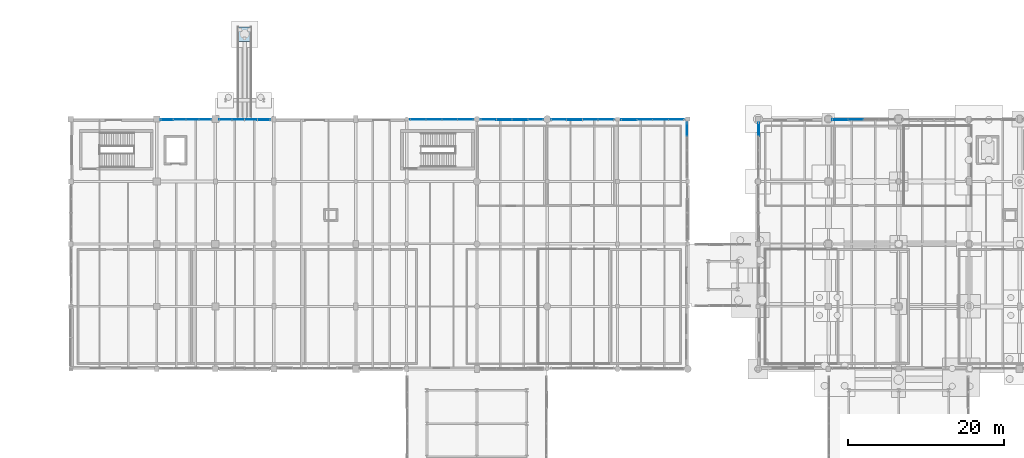
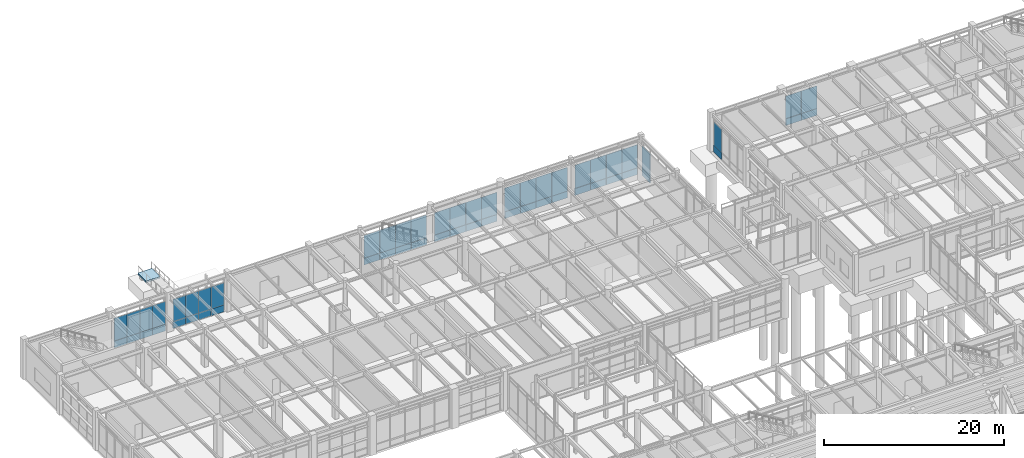
# One storey, part 162 of 203: 56 plates, 1 slab, 10 elements without a shape of their own.
"""IFC4 building model written with IfcOpenShell, lengths in metres."""

from ifc_helpers import new_model, si_unit, direction, frame, origin, origin_2d, place, context, subcontext, project, spatial, polyline, rectangle, outline, extrude, material, layer, layer_set, type_object, element, aggregate, save


model = new_model("IFC4")

# Units and contexts
model_context = context("Model", 3, precision=1e-05, world=origin(), true_north=direction((0.0, 1.0)))
body_context = subcontext(model_context, "Body", "Model", "MODEL_VIEW")
ifc_project = project(units=[si_unit("LENGTHUNIT", "METRE"), si_unit("AREAUNIT", "SQUARE_METRE"), si_unit("VOLUMEUNIT", "CUBIC_METRE"), si_unit("PLANEANGLEUNIT", "RADIAN"), si_unit("MASSUNIT", "GRAM", prefix="KILO"), si_unit("THERMODYNAMICTEMPERATUREUNIT", "KELVIN"), si_unit("POWERUNIT", "WATT")], contexts=[model_context])

# Site, building, storey
site_placement = place(None, origin())
site = spatial("IfcSite", under=ifc_project, at=site_placement, CompositionType="ELEMENT")
building_placement = place(site_placement, origin())
building = spatial("IfcBuilding", under=site, at=building_placement, Name="Tepalcoro Natatorium and Aquatics Centre", CompositionType="ELEMENT")
storey_placement = place(building_placement, origin())
storey = spatial("IfcBuildingStorey", under=building, at=storey_placement, Name="L00", CompositionType="ELEMENT", Elevation=0.0)

# Curtain wall, plate
ifc_material_1 = material(Name="Bronze-Anodised Extruded Aluminium Alloy EN AW-6063 T6", Category="aluminium")
curtain_wall_type_1 = type_object("IfcCurtainWallType", Name="CW_LEAN_T1_EW", PredefinedType="USERDEFINED", material=ifc_material_1)
curtain_wall_1_placement = place(storey_placement, origin())
curtain_wall_1 = element("IfcCurtainWall", 1, at=curtain_wall_1_placement, inside=storey, type_object=curtain_wall_type_1, Name="V4 L00 N Unitised Curtain Wall Bay 2", ObjectType="FACETED SOLAR GLAZING", PredefinedType="USERDEFINED")
ifc_material_2 = material(Name="Solar-Control Bronze Tempered Low-E Double Glazing", Category="glass")
ifc_layer_1 = layer(ifc_material_2, 0.048095703125)
ifc_layer_set_1 = layer_set([ifc_layer_1], Name="Solar-Control Bronze Tempered Low-E Double Glazing")
plate_type_1 = type_object("IfcPlateType", Name="PL_ACOUSTIC_IGU_48", PredefinedType="CURTAIN_PANEL", material=ifc_layer_set_1)
plate_1_placement = place(storey_placement, frame((23.9326171875, 117.9287109375, 0.9599609375), z_axis=(0.0, 0.0, 1.0), x_axis=(1.0, 0.0, 0.0)))
plate_1 = element("IfcPlate", 2, at=plate_1_placement, type_object=plate_type_1, Name="CW_LEAN_T1_EW Insulated Glazing Unit", PredefinedType="CURTAIN_PANEL", context=body_context, shape_type="SweptSolid", body=[
    extrude(rectangle(XDim=1.614990234375, YDim=0.048095703125, at=origin_2d()), origin(), (0.0, 0.0, 1.0), 3.073974609375),
])

# Curtain wall, plates
curtain_wall_type_2 = type_object("IfcCurtainWallType", Name="CW_LEAN_T2_NS", PredefinedType="USERDEFINED", material=ifc_material_1)
curtain_wall_2_placement = place(storey_placement, origin())
curtain_wall_2 = element("IfcCurtainWall", 3, at=curtain_wall_2_placement, inside=storey, type_object=curtain_wall_type_2, Name="V4 L00 N Unitised Curtain Wall Bay 3", ObjectType="FACETED SOLAR GLAZING", PredefinedType="USERDEFINED")
plate_2_placement = place(storey_placement, frame((29.797607421875, 117.919921875, 0.9599609375), z_axis=(0.0, 0.0, 1.0), x_axis=(1.0, 0.0, 0.0)))
plate_2 = element("IfcPlate", 4, at=plate_2_placement, type_object=plate_type_1, Name="CW_LEAN_T2_NS Insulated Glazing Unit", PredefinedType="CURTAIN_PANEL", context=body_context, shape_type="SweptSolid", body=[
    extrude(rectangle(XDim=1.614990234375, YDim=0.048095703125, at=origin_2d()), origin(), (0.0, 0.0, 1.0), 2.998046875),
])
plate_3_placement = place(storey_placement, frame((34.702392578125, 117.919921875, 0.9599609375), z_axis=(0.0, 0.0, 1.0), x_axis=(1.0, 0.0, 0.0)))
plate_3 = element("IfcPlate", 5, at=plate_3_placement, type_object=plate_type_1, Name="CW_LEAN_T2_NS Insulated Glazing Unit", PredefinedType="CURTAIN_PANEL", context=body_context, shape_type="SweptSolid", body=[
    extrude(rectangle(XDim=1.614990234375, YDim=0.048095703125, at=origin_2d()), origin(), (0.0, 0.0, 1.0), 2.998046875),
])

# Curtain wall, plate
curtain_wall_type_3 = type_object("IfcCurtainWallType", Name="CW_V2_DIVING", PredefinedType="USERDEFINED", material=ifc_material_1)
curtain_wall_3_placement = place(storey_placement, origin())
curtain_wall_3 = element("IfcCurtainWall", 6, at=curtain_wall_3_placement, inside=storey, type_object=curtain_wall_type_3, Name="V4 L00 N Unitised Curtain Wall Bay 6", ObjectType="FACETED SOLAR GLAZING", PredefinedType="USERDEFINED")
plate_4_placement = place(storey_placement, frame((58.5048828125, 117.93505859375, 0.9599609375), z_axis=(0.0, 0.0, 1.0), x_axis=(1.0, 0.0, 0.0)))
plate_4 = element("IfcPlate", 7, at=plate_4_placement, type_object=plate_type_1, Name="CW_V2_DIVING Insulated Glazing Unit", PredefinedType="CURTAIN_PANEL", context=body_context, shape_type="SweptSolid", body=[
    extrude(rectangle(XDim=1.989990234375, YDim=0.048095703125, at=origin_2d()), origin(), (0.0, 0.0, 1.0), 3.073974609375),
])

curtain_wall_type_4 = type_object("IfcCurtainWallType", Name="CW_V3_FOYER", PredefinedType="USERDEFINED", material=ifc_material_1)
curtain_wall_4_placement = place(storey_placement, origin())
curtain_wall_4 = element("IfcCurtainWall", 8, at=curtain_wall_4_placement, inside=storey, type_object=curtain_wall_type_4, Name="V4 L00 N Unitised Curtain Wall Bay 7", ObjectType="UNITISED STOREFRONT", PredefinedType="USERDEFINED")
plate_5_placement = place(storey_placement, frame((65.4951171875, 117.919921875, 0.9599609375), z_axis=(0.0, 0.0, 1.0), x_axis=(1.0, 0.0, 0.0)))
plate_5 = element("IfcPlate", 9, at=plate_5_placement, type_object=plate_type_1, Name="CW_V3_FOYER Insulated Glazing Unit", PredefinedType="CURTAIN_PANEL", context=body_context, shape_type="SweptSolid", body=[
    extrude(rectangle(XDim=1.989990234375, YDim=0.048095703125, at=origin_2d()), origin(), (0.0, 0.0, 1.0), 2.998046875),
])

# Curtain wall, plates
curtain_wall_type_5 = type_object("IfcCurtainWallType", Name="CW_V4_VILLAGE", PredefinedType="USERDEFINED", material=ifc_material_1)
curtain_wall_5_placement = place(storey_placement, origin())
curtain_wall_5 = element("IfcCurtainWall", 10, at=curtain_wall_5_placement, inside=storey, type_object=curtain_wall_type_5, Name="V4 L00 N Unitised Curtain Wall Bay 8", ObjectType="UNITISED STOREFRONT", PredefinedType="USERDEFINED")
plate_6_placement = place(storey_placement, frame((72.485107421875, 117.923828125, 0.9599609375), z_axis=(0.0, 0.0, 1.0), x_axis=(1.0, 0.0, 0.0)))
plate_6 = element("IfcPlate", 11, at=plate_6_placement, type_object=plate_type_1, Name="CW_V4_VILLAGE Insulated Glazing Unit", PredefinedType="CURTAIN_PANEL", context=body_context, shape_type="SweptSolid", body=[
    extrude(rectangle(XDim=1.989990234375, YDim=0.048095703125, at=origin_2d()), origin(), (0.0, 0.0, 1.0), 3.197021484375),
])
plate_7_placement = place(storey_placement, frame((78.514892578125, 117.923828125, 0.9599609375), z_axis=(0.0, 0.0, 1.0), x_axis=(1.0, 0.0, 0.0)))
plate_7 = element("IfcPlate", 12, at=plate_7_placement, type_object=plate_type_1, Name="CW_V4_VILLAGE Insulated Glazing Unit", PredefinedType="CURTAIN_PANEL", context=body_context, shape_type="SweptSolid", body=[
    extrude(rectangle(XDim=1.989990234375, YDim=0.048095703125, at=origin_2d()), origin(), (0.0, 0.0, 1.0), 3.197021484375),
])

# Curtain wall, plate
curtain_wall_type_6 = type_object("IfcCurtainWallType", Name="CW_V5_LOWER", PredefinedType="USERDEFINED", material=ifc_material_1)
curtain_wall_6_placement = place(storey_placement, origin())
curtain_wall_6 = element("IfcCurtainWall", 13, at=curtain_wall_6_placement, inside=storey, type_object=curtain_wall_type_6, Name="V4 L00 N Unitised Curtain Wall Bay 9", ObjectType="UNITISED STOREFRONT", PredefinedType="USERDEFINED")
plate_8_placement = place(storey_placement, frame((85.5048828125, 117.919921875, 0.9599609375), z_axis=(0.0, 0.0, 1.0), x_axis=(1.0, 0.0, 0.0)))
plate_8 = element("IfcPlate", 14, at=plate_8_placement, type_object=plate_type_1, Name="CW_V5_LOWER Insulated Glazing Unit", PredefinedType="CURTAIN_PANEL", context=body_context, shape_type="SweptSolid", body=[
    extrude(rectangle(XDim=1.989990234375, YDim=0.048095703125, at=origin_2d()), origin(), (0.0, 0.0, 1.0), 3.14990234375),
])

curtain_wall_type_7 = type_object("IfcCurtainWallType", Name="CW_V1_PLINTH", PredefinedType="USERDEFINED", material=ifc_material_1)
curtain_wall_7_placement = place(storey_placement, origin())
curtain_wall_7 = element("IfcCurtainWall", 15, at=curtain_wall_7_placement, inside=storey, type_object=curtain_wall_type_7, Name="V4 L00 E Unitised Curtain Wall Bay 4", ObjectType="UNITISED STOREFRONT", PredefinedType="USERDEFINED")
plate_9_placement = place(storey_placement, frame((88.909912109375, 116.639892578125, 0.9599609375), z_axis=(0.0, 0.0, 1.0), x_axis=(1.0, 0.0, 0.0)))
plate_9 = element("IfcPlate", 16, at=plate_9_placement, type_object=plate_type_1, Name="CW_V1_PLINTH Insulated Glazing Unit", PredefinedType="CURTAIN_PANEL", context=body_context, shape_type="SweptSolid", body=[
    extrude(rectangle(XDim=0.048095703125, YDim=1.739990234375, at=origin_2d()), origin(), (0.0, 0.0, 1.0), 3.073974609375),
])

curtain_wall_8_placement = place(storey_placement, origin())
curtain_wall_8 = element("IfcCurtainWall", 17, at=curtain_wall_8_placement, inside=storey, type_object=curtain_wall_type_1, Name="V5 L00 N Unitised Curtain Wall Bay 2", ObjectType="FACETED SOLAR GLAZING", PredefinedType="USERDEFINED")
plate_10_placement = place(storey_placement, frame((110.4951171875, 117.9287109375, 0.9599609375), z_axis=(0.0, 0.0, 1.0), x_axis=(1.0, 0.0, 0.0)))
plate_10 = element("IfcPlate", 18, at=plate_10_placement, type_object=plate_type_1, Name="CW_LEAN_T1_EW Insulated Glazing Unit", PredefinedType="CURTAIN_PANEL", context=body_context, shape_type="SweptSolid", body=[
    extrude(rectangle(XDim=1.989990234375, YDim=0.048095703125, at=origin_2d()), origin(), (0.0, 0.0, 1.0), 3.053955078125),
])

# Plate
ifc_layer_2 = layer(ifc_material_2, 0.028076171875)
ifc_layer_set_2 = layer_set([ifc_layer_2], Name="Solar-Control Bronze Tempered Low-E Double Glazing")
plate_type_2 = type_object("IfcPlateType", Name="PL_BRONZE_IGU_28", PredefinedType="CURTAIN_PANEL", material=ifc_layer_set_2)
plate_11_placement = place(storey_placement, frame((22.297607421875, 117.9287109375, 0.9599609375), z_axis=(0.0, 0.0, 1.0), x_axis=(1.0, 0.0, 0.0)))
plate_11 = element("IfcPlate", 19, at=plate_11_placement, type_object=plate_type_2, Name="CW_LEAN_T1_EW Insulated Glazing Unit", PredefinedType="CURTAIN_PANEL", context=body_context, shape_type="SweptSolid", body=[
    extrude(rectangle(XDim=1.614990234375, YDim=0.028076171875, at=origin_2d()), origin(), (0.0, 0.0, 1.0), 3.073974609375),
])

plate_12_placement = place(storey_placement, frame((27.202392578125, 117.9287109375, 0.9599609375), z_axis=(0.0, 0.0, 1.0), x_axis=(1.0, 0.0, 0.0)))
plate_12 = element("IfcPlate", 20, at=plate_12_placement, type_object=plate_type_2, Name="CW_LEAN_T1_EW Insulated Glazing Unit", PredefinedType="CURTAIN_PANEL", context=body_context, shape_type="SweptSolid", body=[
    extrude(rectangle(XDim=1.614990234375, YDim=0.028076171875, at=origin_2d()), origin(), (0.0, 0.0, 1.0), 3.073974609375),
])

plate_13_placement = place(storey_placement, frame((33.0673828125, 117.919921875, 0.9599609375), z_axis=(0.0, 0.0, 1.0), x_axis=(1.0, 0.0, 0.0)))
plate_13 = element("IfcPlate", 21, at=plate_13_placement, type_object=plate_type_2, Name="CW_LEAN_T2_NS Insulated Glazing Unit", PredefinedType="CURTAIN_PANEL", context=body_context, shape_type="SweptSolid", body=[
    extrude(rectangle(XDim=1.614990234375, YDim=0.028076171875, at=origin_2d()), origin(), (0.0, 0.0, 1.0), 2.998046875),
])

plate_14_placement = place(storey_placement, frame((56.4951171875, 117.93505859375, 0.9599609375), z_axis=(0.0, 0.0, 1.0), x_axis=(1.0, 0.0, 0.0)))
plate_14 = element("IfcPlate", 22, at=plate_14_placement, type_object=plate_type_2, Name="CW_V2_DIVING Insulated Glazing Unit", PredefinedType="CURTAIN_PANEL", context=body_context, shape_type="SweptSolid", body=[
    extrude(rectangle(XDim=1.989990234375, YDim=0.028076171875, at=origin_2d()), origin(), (0.0, 0.0, 1.0), 3.073974609375),
])

plate_15_placement = place(storey_placement, frame((63.485107421875, 117.919921875, 0.9599609375), z_axis=(0.0, 0.0, 1.0), x_axis=(1.0, 0.0, 0.0)))
plate_15 = element("IfcPlate", 23, at=plate_15_placement, type_object=plate_type_2, Name="CW_V3_FOYER Insulated Glazing Unit", PredefinedType="CURTAIN_PANEL", context=body_context, shape_type="SweptSolid", body=[
    extrude(rectangle(XDim=1.989990234375, YDim=0.028076171875, at=origin_2d()), origin(), (0.0, 0.0, 1.0), 2.998046875),
])

plate_16_placement = place(storey_placement, frame((69.514892578125, 117.919921875, 0.9599609375), z_axis=(0.0, 0.0, 1.0), x_axis=(1.0, 0.0, 0.0)))
plate_16 = element("IfcPlate", 24, at=plate_16_placement, type_object=plate_type_2, Name="CW_V3_FOYER Insulated Glazing Unit", PredefinedType="CURTAIN_PANEL", context=body_context, shape_type="SweptSolid", body=[
    extrude(rectangle(XDim=1.989990234375, YDim=0.028076171875, at=origin_2d()), origin(), (0.0, 0.0, 1.0), 2.998046875),
])

plate_17_placement = place(storey_placement, frame((76.5048828125, 117.923828125, 0.9599609375), z_axis=(0.0, 0.0, 1.0), x_axis=(1.0, 0.0, 0.0)))
plate_17 = element("IfcPlate", 25, at=plate_17_placement, type_object=plate_type_2, Name="CW_V4_VILLAGE Insulated Glazing Unit", PredefinedType="CURTAIN_PANEL", context=body_context, shape_type="SweptSolid", body=[
    extrude(rectangle(XDim=1.989990234375, YDim=0.028076171875, at=origin_2d()), origin(), (0.0, 0.0, 1.0), 3.197021484375),
])

plate_18_placement = place(storey_placement, frame((83.4951171875, 117.919921875, 0.9599609375), z_axis=(0.0, 0.0, 1.0), x_axis=(1.0, 0.0, 0.0)))
plate_18 = element("IfcPlate", 26, at=plate_18_placement, type_object=plate_type_2, Name="CW_V5_LOWER Insulated Glazing Unit", PredefinedType="CURTAIN_PANEL", context=body_context, shape_type="SweptSolid", body=[
    extrude(rectangle(XDim=1.989990234375, YDim=0.028076171875, at=origin_2d()), origin(), (0.0, 0.0, 1.0), 3.14990234375),
])

plate_19_placement = place(storey_placement, frame((108.485107421875, 117.9287109375, 0.9599609375), z_axis=(0.0, 0.0, 1.0), x_axis=(1.0, 0.0, 0.0)))
plate_19 = element("IfcPlate", 27, at=plate_19_placement, type_object=plate_type_2, Name="CW_LEAN_T1_EW Insulated Glazing Unit", PredefinedType="CURTAIN_PANEL", context=body_context, shape_type="SweptSolid", body=[
    extrude(rectangle(XDim=1.989990234375, YDim=0.028076171875, at=origin_2d()), origin(), (0.0, 0.0, 1.0), 3.053955078125),
])

# Curtain wall, plate
curtain_wall_9_placement = place(storey_placement, origin())
curtain_wall_9 = element("IfcCurtainWall", 28, at=curtain_wall_9_placement, inside=storey, type_object=curtain_wall_type_2, Name="V5 L00 W Unitised Curtain Wall Bay 4", ObjectType="FACETED SOLAR GLAZING", PredefinedType="USERDEFINED")
plate_20_placement = place(storey_placement, frame((98.076171875, 116.639892578125, 0.9599609375), z_axis=(0.0, 0.0, 1.0), x_axis=(1.0, 0.0, 0.0)))
plate_20 = element("IfcPlate", 29, at=plate_20_placement, type_object=plate_type_2, Name="CW_LEAN_T2_NS Insulated Glazing Unit", PredefinedType="CURTAIN_PANEL", context=body_context, shape_type="SweptSolid", body=[
    extrude(rectangle(XDim=0.028076171875, YDim=1.739990234375, at=origin_2d()), origin(), (0.0, 0.0, 1.0), 3.1298828125),
])

# Plate
ifc_material_3 = material(Name="Jalisco Cantera Rosa Volcanic Tuff Ashlar Masonry", Category="masonry")
ifc_layer_3 = layer(ifc_material_3, 0.090087890625)
ifc_layer_set_3 = layer_set([ifc_layer_3], Name="Jalisco Cantera Rosa Volcanic Tuff Ashlar Masonry")
plate_type_3 = type_object("IfcPlateType", Name="PL_CANTERA_90", PredefinedType="SHEET", material=ifc_layer_set_3)
plate_21_placement = place(storey_placement, frame((34.702392578125, 117.919921875, 0.044921875), z_axis=(0.0, 0.0, 1.0), x_axis=(1.0, 0.0, 0.0)))
plate_21 = element("IfcPlate", 30, at=plate_21_placement, type_object=plate_type_3, Name="CW_LEAN_T2_NS Spandrel & Screen Panel", PredefinedType="SHEET", context=body_context, shape_type="SweptSolid", body=[
    extrude(rectangle(XDim=1.614990234375, YDim=0.090087890625, at=origin_2d()), origin(), (0.0, 0.0, 1.0), 0.909912109375),
])

plate_22_placement = place(storey_placement, frame((58.5048828125, 117.93505859375, 0.044921875), z_axis=(0.0, 0.0, 1.0), x_axis=(1.0, 0.0, 0.0)))
plate_22 = element("IfcPlate", 31, at=plate_22_placement, type_object=plate_type_3, Name="CW_V2_DIVING Spandrel & Screen Panel", PredefinedType="SHEET", context=body_context, shape_type="SweptSolid", body=[
    extrude(rectangle(XDim=1.989990234375, YDim=0.090087890625, at=origin_2d()), origin(), (0.0, 0.0, 1.0), 0.909912109375),
])

plate_23_placement = place(storey_placement, frame((65.4951171875, 117.919921875, 0.044921875), z_axis=(0.0, 0.0, 1.0), x_axis=(1.0, 0.0, 0.0)))
plate_23 = element("IfcPlate", 32, at=plate_23_placement, type_object=plate_type_3, Name="CW_V3_FOYER Spandrel & Screen Panel", PredefinedType="SHEET", context=body_context, shape_type="SweptSolid", body=[
    extrude(rectangle(XDim=1.989990234375, YDim=0.090087890625, at=origin_2d()), origin(), (0.0, 0.0, 1.0), 0.909912109375),
])

plate_24_placement = place(storey_placement, frame((72.485107421875, 117.923828125, 0.044921875), z_axis=(0.0, 0.0, 1.0), x_axis=(1.0, 0.0, 0.0)))
plate_24 = element("IfcPlate", 33, at=plate_24_placement, type_object=plate_type_3, Name="CW_V4_VILLAGE Spandrel & Screen Panel", PredefinedType="SHEET", context=body_context, shape_type="SweptSolid", body=[
    extrude(rectangle(XDim=1.989990234375, YDim=0.090087890625, at=origin_2d()), origin(), (0.0, 0.0, 1.0), 0.909912109375),
])

plate_25_placement = place(storey_placement, frame((98.076171875, 116.639892578125, 0.044921875), z_axis=(0.0, 0.0, 1.0), x_axis=(1.0, 0.0, 0.0)))
plate_25 = element("IfcPlate", 34, at=plate_25_placement, type_object=plate_type_3, Name="CW_LEAN_T2_NS Spandrel & Screen Panel", PredefinedType="SHEET", context=body_context, shape_type="SweptSolid", body=[
    extrude(rectangle(XDim=0.090087890625, YDim=1.739990234375, at=origin_2d()), origin(), (0.0, 0.0, 1.0), 0.909912109375),
])

aggregate(curtain_wall_9, [plate_20, plate_25])

ifc_material_4 = material(Name="Clear Tempered Low-E Safety Glazing", Category="glass")
ifc_layer_4 = layer(ifc_material_4, 0.011962890625)
ifc_layer_set_4 = layer_set([ifc_layer_4], Name="Clear Tempered Low-E Safety Glazing")
plate_type_4 = type_object("IfcPlateType", Name="PL_GLASS_12", PredefinedType="CURTAIN_PANEL", material=ifc_layer_set_4)
plate_26_placement = place(storey_placement, frame((25.5673828125, 117.9287109375, 0.9599609375), z_axis=(0.0, 0.0, 1.0), x_axis=(1.0, 0.0, 0.0)))
plate_26 = element("IfcPlate", 35, at=plate_26_placement, type_object=plate_type_4, Name="CW_LEAN_T1_EW Insulated Glazing Unit", PredefinedType="CURTAIN_PANEL", context=body_context, shape_type="SweptSolid", body=[
    extrude(rectangle(XDim=1.614990234375, YDim=0.011962890625, at=origin_2d()), origin(), (0.0, 0.0, 1.0), 3.073974609375),
])

plate_27_placement = place(storey_placement, frame((31.4326171875, 117.919921875, 0.9599609375), z_axis=(0.0, 0.0, 1.0), x_axis=(1.0, 0.0, 0.0)))
plate_27 = element("IfcPlate", 36, at=plate_27_placement, type_object=plate_type_4, Name="CW_LEAN_T2_NS Insulated Glazing Unit", PredefinedType="CURTAIN_PANEL", context=body_context, shape_type="SweptSolid", body=[
    extrude(rectangle(XDim=1.614990234375, YDim=0.011962890625, at=origin_2d()), origin(), (0.0, 0.0, 1.0), 2.998046875),
])

plate_28_placement = place(storey_placement, frame((54.485107421875, 117.93505859375, 0.9599609375), z_axis=(0.0, 0.0, 1.0), x_axis=(1.0, 0.0, 0.0)))
plate_28 = element("IfcPlate", 37, at=plate_28_placement, type_object=plate_type_4, Name="CW_V2_DIVING Insulated Glazing Unit", PredefinedType="CURTAIN_PANEL", context=body_context, shape_type="SweptSolid", body=[
    extrude(rectangle(XDim=1.989990234375, YDim=0.011962890625, at=origin_2d()), origin(), (0.0, 0.0, 1.0), 3.073974609375),
])

plate_29_placement = place(storey_placement, frame((60.514892578125, 117.93505859375, 0.9599609375), z_axis=(0.0, 0.0, 1.0), x_axis=(1.0, 0.0, 0.0)))
plate_29 = element("IfcPlate", 38, at=plate_29_placement, type_object=plate_type_4, Name="CW_V2_DIVING Insulated Glazing Unit", PredefinedType="CURTAIN_PANEL", context=body_context, shape_type="SweptSolid", body=[
    extrude(rectangle(XDim=1.989990234375, YDim=0.011962890625, at=origin_2d()), origin(), (0.0, 0.0, 1.0), 3.073974609375),
])

plate_30_placement = place(storey_placement, frame((67.5048828125, 117.919921875, 0.9599609375), z_axis=(0.0, 0.0, 1.0), x_axis=(1.0, 0.0, 0.0)))
plate_30 = element("IfcPlate", 39, at=plate_30_placement, type_object=plate_type_4, Name="CW_V3_FOYER Insulated Glazing Unit", PredefinedType="CURTAIN_PANEL", context=body_context, shape_type="SweptSolid", body=[
    extrude(rectangle(XDim=1.989990234375, YDim=0.011962890625, at=origin_2d()), origin(), (0.0, 0.0, 1.0), 2.998046875),
])

plate_31_placement = place(storey_placement, frame((74.4951171875, 117.923828125, 0.9599609375), z_axis=(0.0, 0.0, 1.0), x_axis=(1.0, 0.0, 0.0)))
plate_31 = element("IfcPlate", 40, at=plate_31_placement, type_object=plate_type_4, Name="CW_V4_VILLAGE Insulated Glazing Unit", PredefinedType="CURTAIN_PANEL", context=body_context, shape_type="SweptSolid", body=[
    extrude(rectangle(XDim=1.989990234375, YDim=0.011962890625, at=origin_2d()), origin(), (0.0, 0.0, 1.0), 3.197021484375),
])

plate_32_placement = place(storey_placement, frame((81.485107421875, 117.919921875, 0.9599609375), z_axis=(0.0, 0.0, 1.0), x_axis=(1.0, 0.0, 0.0)))
plate_32 = element("IfcPlate", 41, at=plate_32_placement, type_object=plate_type_4, Name="CW_V5_LOWER Insulated Glazing Unit", PredefinedType="CURTAIN_PANEL", context=body_context, shape_type="SweptSolid", body=[
    extrude(rectangle(XDim=1.989990234375, YDim=0.011962890625, at=origin_2d()), origin(), (0.0, 0.0, 1.0), 3.14990234375),
])

plate_33_placement = place(storey_placement, frame((87.514892578125, 117.919921875, 0.9599609375), z_axis=(0.0, 0.0, 1.0), x_axis=(1.0, 0.0, 0.0)))
plate_33 = element("IfcPlate", 42, at=plate_33_placement, type_object=plate_type_4, Name="CW_V5_LOWER Insulated Glazing Unit", PredefinedType="CURTAIN_PANEL", context=body_context, shape_type="SweptSolid", body=[
    extrude(rectangle(XDim=1.989990234375, YDim=0.011962890625, at=origin_2d()), origin(), (0.0, 0.0, 1.0), 3.14990234375),
])

ifc_material_5 = material(Name="Volcanic Recinto Basalt Ashlar Masonry", Category="masonry")
ifc_layer_5 = layer(ifc_material_5, 0.110107421875)
ifc_layer_set_5 = layer_set([ifc_layer_5], Name="Volcanic Recinto Basalt Ashlar Masonry")
plate_type_5 = type_object("IfcPlateType", Name="PL_RECINTO_110", PredefinedType="SHEET", material=ifc_layer_set_5)
plate_34_placement = place(storey_placement, frame((22.297607421875, 117.9287109375, 0.044921875), z_axis=(0.0, 0.0, 1.0), x_axis=(1.0, 0.0, 0.0)))
plate_34 = element("IfcPlate", 43, at=plate_34_placement, type_object=plate_type_5, Name="CW_LEAN_T1_EW Spandrel & Screen Panel", PredefinedType="SHEET", context=body_context, shape_type="SweptSolid", body=[
    extrude(rectangle(XDim=1.614990234375, YDim=0.110107421875, at=origin_2d()), origin(), (0.0, 0.0, 1.0), 0.909912109375),
])

plate_35_placement = place(storey_placement, frame((60.514892578125, 117.93505859375, 0.044921875), z_axis=(0.0, 0.0, 1.0), x_axis=(1.0, 0.0, 0.0)))
plate_35 = element("IfcPlate", 44, at=plate_35_placement, type_object=plate_type_5, Name="CW_V2_DIVING Spandrel & Screen Panel", PredefinedType="SHEET", context=body_context, shape_type="SweptSolid", body=[
    extrude(rectangle(XDim=1.989990234375, YDim=0.110107421875, at=origin_2d()), origin(), (0.0, 0.0, 1.0), 0.909912109375),
])

plate_36_placement = place(storey_placement, frame((67.5048828125, 117.919921875, 0.044921875), z_axis=(0.0, 0.0, 1.0), x_axis=(1.0, 0.0, 0.0)))
plate_36 = element("IfcPlate", 45, at=plate_36_placement, type_object=plate_type_5, Name="CW_V3_FOYER Spandrel & Screen Panel", PredefinedType="SHEET", context=body_context, shape_type="SweptSolid", body=[
    extrude(rectangle(XDim=1.989990234375, YDim=0.110107421875, at=origin_2d()), origin(), (0.0, 0.0, 1.0), 0.909912109375),
])

plate_37_placement = place(storey_placement, frame((74.4951171875, 117.923828125, 0.044921875), z_axis=(0.0, 0.0, 1.0), x_axis=(1.0, 0.0, 0.0)))
plate_37 = element("IfcPlate", 46, at=plate_37_placement, type_object=plate_type_5, Name="CW_V4_VILLAGE Spandrel & Screen Panel", PredefinedType="SHEET", context=body_context, shape_type="SweptSolid", body=[
    extrude(rectangle(XDim=1.989990234375, YDim=0.110107421875, at=origin_2d()), origin(), (0.0, 0.0, 1.0), 0.909912109375),
])

plate_38_placement = place(storey_placement, frame((81.485107421875, 117.919921875, 0.044921875), z_axis=(0.0, 0.0, 1.0), x_axis=(1.0, 0.0, 0.0)))
plate_38 = element("IfcPlate", 47, at=plate_38_placement, type_object=plate_type_5, Name="CW_V5_LOWER Spandrel & Screen Panel", PredefinedType="SHEET", context=body_context, shape_type="SweptSolid", body=[
    extrude(rectangle(XDim=1.989990234375, YDim=0.110107421875, at=origin_2d()), origin(), (0.0, 0.0, 1.0), 0.909912109375),
])

plate_39_placement = place(storey_placement, frame((108.485107421875, 117.9287109375, 0.044921875), z_axis=(0.0, 0.0, 1.0), x_axis=(1.0, 0.0, 0.0)))
plate_39 = element("IfcPlate", 48, at=plate_39_placement, type_object=plate_type_5, Name="CW_LEAN_T1_EW Spandrel & Screen Panel", PredefinedType="SHEET", context=body_context, shape_type="SweptSolid", body=[
    extrude(rectangle(XDim=1.989990234375, YDim=0.110107421875, at=origin_2d()), origin(), (0.0, 0.0, 1.0), 0.909912109375),
])

ifc_layer_6 = layer(ifc_material_1, 0.050048828125)
ifc_layer_set_6 = layer_set([ifc_layer_6], Name="Bronze-Anodised Extruded Aluminium Alloy EN AW-6063 T6")
plate_type_6 = type_object("IfcPlateType", Name="PL_SCREEN_50", PredefinedType="SHEET", material=ifc_layer_set_6)
plate_40_placement = place(storey_placement, frame((25.5673828125, 117.9287109375, 0.044921875), z_axis=(0.0, 0.0, 1.0), x_axis=(1.0, 0.0, 0.0)))
plate_40 = element("IfcPlate", 49, at=plate_40_placement, type_object=plate_type_6, Name="CW_LEAN_T1_EW Spandrel & Screen Panel", PredefinedType="SHEET", context=body_context, shape_type="SweptSolid", body=[
    extrude(rectangle(XDim=1.614990234375, YDim=0.050048828125, at=origin_2d()), origin(), (0.0, 0.0, 1.0), 0.909912109375),
])

plate_41_placement = place(storey_placement, frame((31.4326171875, 117.919921875, 0.044921875), z_axis=(0.0, 0.0, 1.0), x_axis=(1.0, 0.0, 0.0)))
plate_41 = element("IfcPlate", 50, at=plate_41_placement, type_object=plate_type_6, Name="CW_LEAN_T2_NS Spandrel & Screen Panel", PredefinedType="SHEET", context=body_context, shape_type="SweptSolid", body=[
    extrude(rectangle(XDim=1.614990234375, YDim=0.050048828125, at=origin_2d()), origin(), (0.0, 0.0, 1.0), 0.909912109375),
])

plate_42_placement = place(storey_placement, frame((54.485107421875, 117.93505859375, 0.044921875), z_axis=(0.0, 0.0, 1.0), x_axis=(1.0, 0.0, 0.0)))
plate_42 = element("IfcPlate", 51, at=plate_42_placement, type_object=plate_type_6, Name="CW_V2_DIVING Spandrel & Screen Panel", PredefinedType="SHEET", context=body_context, shape_type="SweptSolid", body=[
    extrude(rectangle(XDim=1.989990234375, YDim=0.050048828125, at=origin_2d()), origin(), (0.0, 0.0, 1.0), 0.909912109375),
])

plate_43_placement = place(storey_placement, frame((78.514892578125, 117.923828125, 0.044921875), z_axis=(0.0, 0.0, 1.0), x_axis=(1.0, 0.0, 0.0)))
plate_43 = element("IfcPlate", 52, at=plate_43_placement, type_object=plate_type_6, Name="CW_V4_VILLAGE Spandrel & Screen Panel", PredefinedType="SHEET", context=body_context, shape_type="SweptSolid", body=[
    extrude(rectangle(XDim=1.989990234375, YDim=0.050048828125, at=origin_2d()), origin(), (0.0, 0.0, 1.0), 0.909912109375),
])

plate_44_placement = place(storey_placement, frame((85.5048828125, 117.919921875, 0.044921875), z_axis=(0.0, 0.0, 1.0), x_axis=(1.0, 0.0, 0.0)))
plate_44 = element("IfcPlate", 53, at=plate_44_placement, type_object=plate_type_6, Name="CW_V5_LOWER Spandrel & Screen Panel", PredefinedType="SHEET", context=body_context, shape_type="SweptSolid", body=[
    extrude(rectangle(XDim=1.989990234375, YDim=0.050048828125, at=origin_2d()), origin(), (0.0, 0.0, 1.0), 0.909912109375),
])

ifc_layer_7 = layer(ifc_material_1, 0.06005859375)
ifc_layer_set_7 = layer_set([ifc_layer_7], Name="Bronze-Anodised Extruded Aluminium Alloy EN AW-6063 T6")
plate_type_7 = type_object("IfcPlateType", Name="PL_SCREEN_60", PredefinedType="SHEET", material=ifc_layer_set_7)
plate_45_placement = place(storey_placement, frame((27.202392578125, 117.9287109375, 0.044921875), z_axis=(0.0, 0.0, 1.0), x_axis=(1.0, 0.0, 0.0)))
plate_45 = element("IfcPlate", 54, at=plate_45_placement, type_object=plate_type_7, Name="CW_LEAN_T1_EW Spandrel & Screen Panel", PredefinedType="SHEET", context=body_context, shape_type="SweptSolid", body=[
    extrude(rectangle(XDim=1.614990234375, YDim=0.06005859375, at=origin_2d()), origin(), (0.0, 0.0, 1.0), 0.909912109375),
])

plate_46_placement = place(storey_placement, frame((33.0673828125, 117.919921875, 0.044921875), z_axis=(0.0, 0.0, 1.0), x_axis=(1.0, 0.0, 0.0)))
plate_46 = element("IfcPlate", 55, at=plate_46_placement, type_object=plate_type_7, Name="CW_LEAN_T2_NS Spandrel & Screen Panel", PredefinedType="SHEET", context=body_context, shape_type="SweptSolid", body=[
    extrude(rectangle(XDim=1.614990234375, YDim=0.06005859375, at=origin_2d()), origin(), (0.0, 0.0, 1.0), 0.909912109375),
])

plate_47_placement = place(storey_placement, frame((56.4951171875, 117.93505859375, 0.044921875), z_axis=(0.0, 0.0, 1.0), x_axis=(1.0, 0.0, 0.0)))
plate_47 = element("IfcPlate", 56, at=plate_47_placement, type_object=plate_type_7, Name="CW_V2_DIVING Spandrel & Screen Panel", PredefinedType="SHEET", context=body_context, shape_type="SweptSolid", body=[
    extrude(rectangle(XDim=1.989990234375, YDim=0.06005859375, at=origin_2d()), origin(), (0.0, 0.0, 1.0), 0.909912109375),
])

aggregate(curtain_wall_3, [plate_28, plate_42, plate_14, plate_47, plate_4, plate_22, plate_29, plate_35])

plate_48_placement = place(storey_placement, frame((63.485107421875, 117.919921875, 0.044921875), z_axis=(0.0, 0.0, 1.0), x_axis=(1.0, 0.0, 0.0)))
plate_48 = element("IfcPlate", 57, at=plate_48_placement, type_object=plate_type_7, Name="CW_V3_FOYER Spandrel & Screen Panel", PredefinedType="SHEET", context=body_context, shape_type="SweptSolid", body=[
    extrude(rectangle(XDim=1.989990234375, YDim=0.06005859375, at=origin_2d()), origin(), (0.0, 0.0, 1.0), 0.909912109375),
])

plate_49_placement = place(storey_placement, frame((87.514892578125, 117.919921875, 0.044921875), z_axis=(0.0, 0.0, 1.0), x_axis=(1.0, 0.0, 0.0)))
plate_49 = element("IfcPlate", 58, at=plate_49_placement, type_object=plate_type_7, Name="CW_V5_LOWER Spandrel & Screen Panel", PredefinedType="SHEET", context=body_context, shape_type="SweptSolid", body=[
    extrude(rectangle(XDim=1.989990234375, YDim=0.06005859375, at=origin_2d()), origin(), (0.0, 0.0, 1.0), 0.909912109375),
])

plate_50_placement = place(storey_placement, frame((88.909912109375, 116.639892578125, 0.044921875), z_axis=(0.0, 0.0, 1.0), x_axis=(1.0, 0.0, 0.0)))
plate_50 = element("IfcPlate", 59, at=plate_50_placement, type_object=plate_type_7, Name="CW_V1_PLINTH Spandrel & Screen Panel", PredefinedType="SHEET", context=body_context, shape_type="SweptSolid", body=[
    extrude(rectangle(XDim=0.06005859375, YDim=1.739990234375, at=origin_2d()), origin(), (0.0, 0.0, 1.0), 0.909912109375),
])

aggregate(curtain_wall_7, [plate_9, plate_50])

ifc_material_6 = material(Name="Insulated Bronze Anodised Aluminium Spandrel Panel", Category="aluminium")
ifc_layer_8 = layer(ifc_material_6, 0.070068359375)
ifc_layer_set_8 = layer_set([ifc_layer_8], Name="Insulated Bronze Anodised Aluminium Spandrel Panel")
plate_type_8 = type_object("IfcPlateType", Name="PL_SPANDREL_70", PredefinedType="CURTAIN_PANEL", material=ifc_layer_set_8)
plate_51_placement = place(storey_placement, frame((23.9326171875, 117.9287109375, 0.044921875), z_axis=(0.0, 0.0, 1.0), x_axis=(1.0, 0.0, 0.0)))
plate_51 = element("IfcPlate", 60, at=plate_51_placement, type_object=plate_type_8, Name="CW_LEAN_T1_EW Spandrel & Screen Panel", PredefinedType="CURTAIN_PANEL", context=body_context, shape_type="SweptSolid", body=[
    extrude(rectangle(XDim=1.614990234375, YDim=0.070068359375, at=origin_2d()), origin(), (0.0, 0.0, 1.0), 0.909912109375),
])

aggregate(curtain_wall_1, [plate_11, plate_34, plate_1, plate_51, plate_26, plate_40, plate_12, plate_45])

plate_52_placement = place(storey_placement, frame((29.797607421875, 117.919921875, 0.044921875), z_axis=(0.0, 0.0, 1.0), x_axis=(1.0, 0.0, 0.0)))
plate_52 = element("IfcPlate", 61, at=plate_52_placement, type_object=plate_type_8, Name="CW_LEAN_T2_NS Spandrel & Screen Panel", PredefinedType="CURTAIN_PANEL", context=body_context, shape_type="SweptSolid", body=[
    extrude(rectangle(XDim=1.614990234375, YDim=0.070068359375, at=origin_2d()), origin(), (0.0, 0.0, 1.0), 0.909912109375),
])

aggregate(curtain_wall_2, [plate_2, plate_52, plate_27, plate_41, plate_13, plate_46, plate_3, plate_21])

plate_53_placement = place(storey_placement, frame((69.514892578125, 117.919921875, 0.044921875), z_axis=(0.0, 0.0, 1.0), x_axis=(1.0, 0.0, 0.0)))
plate_53 = element("IfcPlate", 62, at=plate_53_placement, type_object=plate_type_8, Name="CW_V3_FOYER Spandrel & Screen Panel", PredefinedType="CURTAIN_PANEL", context=body_context, shape_type="SweptSolid", body=[
    extrude(rectangle(XDim=1.989990234375, YDim=0.070068359375, at=origin_2d()), origin(), (0.0, 0.0, 1.0), 0.909912109375),
])

aggregate(curtain_wall_4, [plate_15, plate_48, plate_5, plate_23, plate_30, plate_36, plate_16, plate_53])

plate_54_placement = place(storey_placement, frame((76.5048828125, 117.923828125, 0.044921875), z_axis=(0.0, 0.0, 1.0), x_axis=(1.0, 0.0, 0.0)))
plate_54 = element("IfcPlate", 63, at=plate_54_placement, type_object=plate_type_8, Name="CW_V4_VILLAGE Spandrel & Screen Panel", PredefinedType="CURTAIN_PANEL", context=body_context, shape_type="SweptSolid", body=[
    extrude(rectangle(XDim=1.989990234375, YDim=0.070068359375, at=origin_2d()), origin(), (0.0, 0.0, 1.0), 0.909912109375),
])

aggregate(curtain_wall_5, [plate_6, plate_24, plate_31, plate_37, plate_17, plate_54, plate_7, plate_43])

plate_55_placement = place(storey_placement, frame((83.4951171875, 117.919921875, 0.044921875), z_axis=(0.0, 0.0, 1.0), x_axis=(1.0, 0.0, 0.0)))
plate_55 = element("IfcPlate", 64, at=plate_55_placement, type_object=plate_type_8, Name="CW_V5_LOWER Spandrel & Screen Panel", PredefinedType="CURTAIN_PANEL", context=body_context, shape_type="SweptSolid", body=[
    extrude(rectangle(XDim=1.989990234375, YDim=0.070068359375, at=origin_2d()), origin(), (0.0, 0.0, 1.0), 0.909912109375),
])

aggregate(curtain_wall_6, [plate_32, plate_38, plate_18, plate_55, plate_8, plate_44, plate_33, plate_49])

plate_56_placement = place(storey_placement, frame((110.4951171875, 117.9287109375, 0.044921875), z_axis=(0.0, 0.0, 1.0), x_axis=(1.0, 0.0, 0.0)))
plate_56 = element("IfcPlate", 65, at=plate_56_placement, type_object=plate_type_8, Name="CW_LEAN_T1_EW Spandrel & Screen Panel", PredefinedType="CURTAIN_PANEL", context=body_context, shape_type="SweptSolid", body=[
    extrude(rectangle(XDim=1.989990234375, YDim=0.070068359375, at=origin_2d()), origin(), (0.0, 0.0, 1.0), 0.909912109375),
])

aggregate(curtain_wall_8, [plate_19, plate_39, plate_10, plate_56])

# Ramp, slab
ifc_material_7 = material(Name="Concrete C35/45 (fc 35 MPa)", Category="concrete")
ramp_type = type_object("IfcRampType", Name="RP_PED_1800", PredefinedType="STRAIGHT_RUN_RAMP", material=ifc_material_7)
ramp_placement = place(storey_placement, origin())
ramp = element("IfcRamp", 66, at=ramp_placement, inside=storey, type_object=ramp_type, Name="V4 North Changing Entrance Accessible Ramp", PredefinedType="STRAIGHT_RUN_RAMP")
ifc_layer_9 = layer(ifc_material_7, 0.199951171875)
ifc_layer_set_9 = layer_set([ifc_layer_9], Name="Concrete C35/45 (fc 35 MPa)")
slab_type = type_object("IfcSlabType", Name="SL_LANDING_200", PredefinedType="LANDING", material=ifc_layer_set_9)
slab_placement = place(storey_placement, frame((0.0, 0.0, -0.699951171875)))
slab = element("IfcSlab", 67, at=slab_placement, type_object=slab_type, Name="V4 North Changing Entrance Accessible Ramp Bottom Level Landing", PredefinedType="LANDING", context=body_context, shape_type="SweptSolid", body=[
    extrude(outline(polyline([(31.35009765625, 129.800048828125), (31.35009765625, 127.93994140625), (33.14990234375, 127.93994140625), (33.14990234375, 129.800048828125), (31.35009765625, 129.800048828125)])), origin(), (0.0, 0.0, 1.0), 0.219970703125),
])
aggregate(ramp, [slab])

save(model, "model.ifc")
